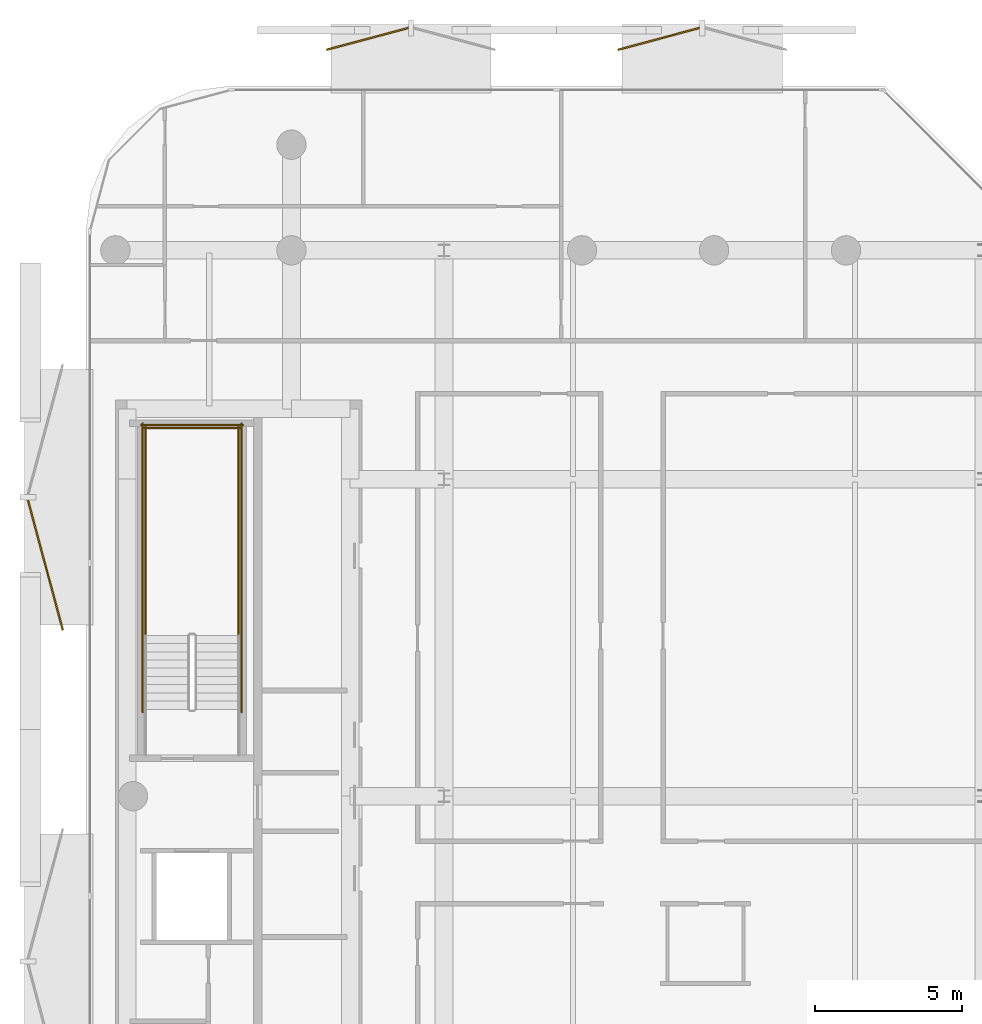
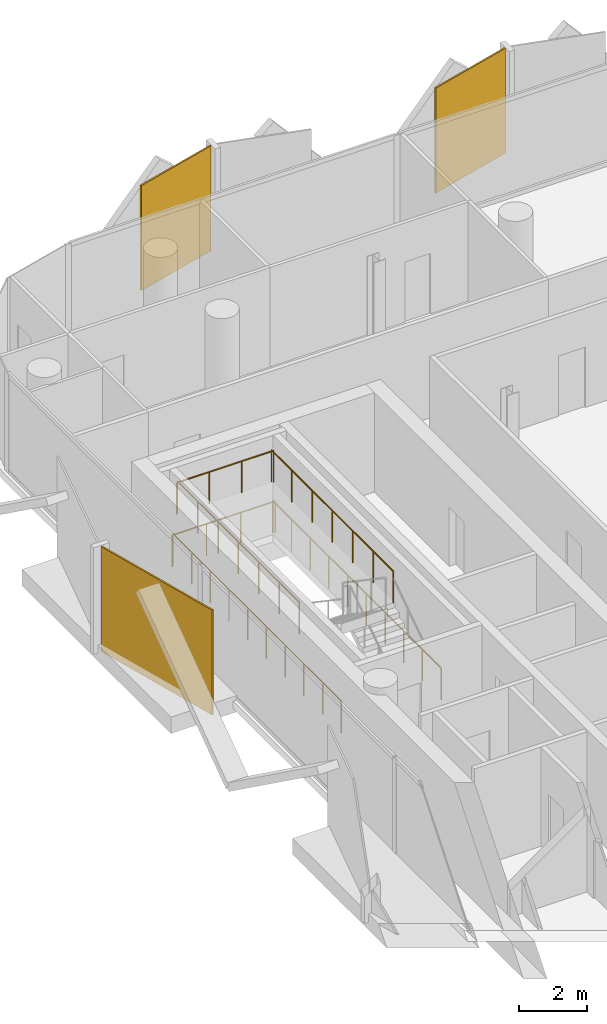
# One storey, part 16 of 16: 6 railings, 3 coverings.
"""IFC4 building model written with IfcOpenShell, lengths in metres."""

from ifc_helpers import new_model, si_unit, direction, frame, origin, origin_2d, place, context, subcontext, project, spatial, rectangle, circle, extrude, material, layer, layer_set, type_object, element, save


model = new_model("IFC4")

# Units and contexts
model_context = context("Model", 3, precision=1e-05, world=origin(), true_north=direction((0.0, 1.0)))
body_context = subcontext(model_context, "Body", "Model", "MODEL_VIEW")
ifc_project = project(units=[si_unit("LENGTHUNIT", "METRE"), si_unit("AREAUNIT", "SQUARE_METRE"), si_unit("VOLUMEUNIT", "CUBIC_METRE"), si_unit("PLANEANGLEUNIT", "RADIAN"), si_unit("MASSUNIT", "GRAM", prefix="KILO")], contexts=[model_context])

# Site, building, storey
site_placement = place(None, origin())
site = spatial("IfcSite", under=ifc_project, at=site_placement, CompositionType="ELEMENT")
building_placement = place(site_placement, origin())
building = spatial("IfcBuilding", under=site, at=building_placement, Name="Khairoan Windgate Tower", CompositionType="ELEMENT")
storey_placement = place(building_placement, frame((0.0, 0.0, 311.800048828125)))
storey = spatial("IfcBuildingStorey", under=building, at=storey_placement, Name="L75", CompositionType="ELEMENT", Elevation=311.800048828125)

# Coverings
ifc_material_1 = material(Name="Anodised Bronze Aluminium 6063-T6", Category="aluminium")
ifc_layer = layer(ifc_material_1, 0.054931640625, Name="Anodised Bronze Aluminium 6063-T6")
ifc_layer_set = layer_set([ifc_layer], Name="Anodised Bronze Aluminium 6063-T6")
covering_type = type_object("IfcCoveringType", Name="Perforated Bronze-Ceramic Folded Solar Screen Cladding BSC-1", PredefinedType="CLADDING", material=ifc_layer_set)
covering_placement = place(storey_placement, frame((-22.786376953125, 7.877197265625, -0.10009765625), z_axis=(0.0, 0.0, 1.0), x_axis=(-0.258819045103, 0.965925826289, 0.0)))
element("IfcCovering", 1, at=covering_placement, inside=storey, type_object=covering_type, Name="L75 Folded Bronze Solar Screen Facet 529L", PredefinedType="CLADDING", context=body_context, shape_type="SweptSolid", body=[
    extrude(rectangle(XDim=4.5869140625, YDim=0.054931640625, at=origin_2d()), origin(), (0.0, 0.0, 1.0), 3.739990234375),
])
for number, where, z_axis, x_axis, name in (
    (2, (-11.80810546875, 25.807373046875, -0.10009765625), (0.0, 0.0, 1.0), (0.965925826289, 0.258819045103, 0.0), "L75 Folded Bronze Solar Screen Facet 530L"),
    (3, (-1.881591796875, 25.807373046875, -0.10009765625), (0.0, 0.0, 1.0), (0.965925826289, 0.258819045103, 0.0), "L75 Folded Bronze Solar Screen Facet 531L"),
):
    element("IfcCovering", number, at=place(storey_placement, frame(where, z_axis=z_axis, x_axis=x_axis)), inside=storey, type_object=covering_type, Name=name, PredefinedType="CLADDING", context=body_context, shape_type="SweptSolid", body=[
        extrude(rectangle(XDim=2.87890625, YDim=0.054931640625, at=origin_2d()), origin(), (0.0, 0.0, 1.0), 3.739990234375),
    ])

# Railings
ifc_material_2 = material(Name="Steel S355", Category="steel")
railing_type = type_object("IfcRailingType", Name="Stairwell Safety Guardrail SGR-1150", PredefinedType="GUARDRAIL", material=ifc_material_2)
for number, where, name in (
    (4, (-16.199951171875, 5.47998046875, 1.89990234375), "L75 ST2 stair guard 3"),
    (5, (-19.3701171875, 5.47998046875, 1.89990234375), "L75 ST2 stair guard 4"),
):
    element("IfcRailing", number, at=place(storey_placement, frame(where)), inside=storey, type_object=railing_type, Name=name, PredefinedType="GUARDRAIL", context=body_context, shape_type="SweptSolid", body=[
        extrude(circle(Radius=0.02392578125, at=origin_2d()), frame((0.0, 0.0, 1.1259765625), z_axis=(0.0, 1.0, 0.0), x_axis=(-1.0, 0.0, 0.0)), (0.0, 0.0, 1.0), 7.1201171875),
        extrude(circle(Radius=0.02099609375, at=origin_2d()), origin(), (0.0, 0.0, 1.0), 1.101806640625),
        extrude(circle(Radius=0.02099609375, at=origin_2d()), frame((0.0, 1.186767578125, 0.0)), (0.0, 0.0, 1.0), 1.101806640625),
        extrude(circle(Radius=0.02099609375, at=origin_2d()), frame((0.0, 2.373291015625, 0.0)), (0.0, 0.0, 1.0), 1.101806640625),
        extrude(circle(Radius=0.02099609375, at=origin_2d()), frame((0.0, 3.56005859375, 0.0)), (0.0, 0.0, 1.0), 1.101806640625),
        extrude(circle(Radius=0.02099609375, at=origin_2d()), frame((0.0, 4.746826171875, 0.0)), (0.0, 0.0, 1.0), 1.101806640625),
        extrude(circle(Radius=0.02099609375, at=origin_2d()), frame((0.0, 5.933349609375, 0.0)), (0.0, 0.0, 1.0), 1.101806640625),
        extrude(circle(Radius=0.02099609375, at=origin_2d()), frame((0.0, 7.1201171875, 0.0)), (0.0, 0.0, 1.0), 1.101806640625),
    ])
railing_1_placement = place(storey_placement, frame((-16.14990234375, 12.550048828125, 1.89990234375)))
element("IfcRailing", 6, at=railing_1_placement, inside=storey, type_object=railing_type, Name="L75 ST2 stair guard 5", PredefinedType="GUARDRAIL", context=body_context, shape_type="SweptSolid", body=[
    extrude(circle(Radius=0.02392578125, at=origin_2d()), frame((0.0, 0.0, 1.1259765625), z_axis=(-1.0, 0.0, 0.0), x_axis=(0.0, -1.0, 0.0)), (0.0, 0.0, 1.0), 3.27001953125),
    extrude(circle(Radius=0.02099609375, at=origin_2d()), origin(), (0.0, 0.0, 1.0), 1.101806640625),
    extrude(circle(Radius=0.02099609375, at=origin_2d()), frame((-1.090087890625, 0.0, 0.0)), (0.0, 0.0, 1.0), 1.101806640625),
    extrude(circle(Radius=0.02099609375, at=origin_2d()), frame((-2.179931640625, 0.0, 0.0)), (0.0, 0.0, 1.0), 1.101806640625),
    extrude(circle(Radius=0.02099609375, at=origin_2d()), frame((-3.27001953125, 0.0, 0.0)), (0.0, 0.0, 1.0), 1.101806640625),
])
for number, where, name in (
    (7, (-16.10009765625, 2.860107421875, 0.0), "L75 ST2 stair guard 10"),
    (8, (-19.469970703125, 2.860107421875, 0.0), "L75 ST2 stair guard 11"),
):
    element("IfcRailing", number, at=place(storey_placement, frame(where)), inside=storey, type_object=railing_type, Name=name, PredefinedType="GUARDRAIL", context=body_context, shape_type="SweptSolid", body=[
        extrude(circle(Radius=0.02392578125, at=origin_2d()), frame((0.0, 0.0, 1.1259765625), z_axis=(0.0, 1.0, 0.0), x_axis=(-1.0, 0.0, 0.0)), (0.0, 0.0, 1.0), 9.83984375),
        extrude(circle(Radius=0.02099609375, at=origin_2d()), origin(), (0.0, 0.0, 1.0), 1.101806640625),
        extrude(circle(Radius=0.02099609375, at=origin_2d()), frame((0.0, 1.09326171875, 0.0)), (0.0, 0.0, 1.0), 1.101806640625),
        extrude(circle(Radius=0.02099609375, at=origin_2d()), frame((0.0, 2.1865234375, 0.0)), (0.0, 0.0, 1.0), 1.101806640625),
        extrude(circle(Radius=0.02099609375, at=origin_2d()), frame((0.0, 3.280029296875, 0.0)), (0.0, 0.0, 1.0), 1.101806640625),
        extrude(circle(Radius=0.02099609375, at=origin_2d()), frame((0.0, 4.373291015625, 0.0)), (0.0, 0.0, 1.0), 1.101806640625),
        extrude(circle(Radius=0.02099609375, at=origin_2d()), frame((0.0, 5.466552734375, 0.0)), (0.0, 0.0, 1.0), 1.101806640625),
        extrude(circle(Radius=0.02099609375, at=origin_2d()), frame((0.0, 6.559814453125, 0.0)), (0.0, 0.0, 1.0), 1.101806640625),
        extrude(circle(Radius=0.02099609375, at=origin_2d()), frame((0.0, 7.6533203125, 0.0)), (0.0, 0.0, 1.0), 1.101806640625),
        extrude(circle(Radius=0.02099609375, at=origin_2d()), frame((0.0, 8.74658203125, 0.0)), (0.0, 0.0, 1.0), 1.101806640625),
        extrude(circle(Radius=0.02099609375, at=origin_2d()), frame((0.0, 9.83984375, 0.0)), (0.0, 0.0, 1.0), 1.101806640625),
    ])
railing_2_placement = place(storey_placement, frame((-16.050048828125, 12.64990234375, 0.0)))
element("IfcRailing", 9, at=railing_2_placement, inside=storey, type_object=railing_type, Name="L75 ST2 stair guard 12", PredefinedType="GUARDRAIL", context=body_context, shape_type="SweptSolid", body=[
    extrude(circle(Radius=0.02392578125, at=origin_2d()), frame((0.0, 0.0, 1.1259765625), z_axis=(-1.0, 0.0, 0.0), x_axis=(0.0, -1.0, 0.0)), (0.0, 0.0, 1.0), 3.469970703125),
    extrude(circle(Radius=0.02099609375, at=origin_2d()), origin(), (0.0, 0.0, 1.0), 1.101806640625),
    extrude(circle(Radius=0.02099609375, at=origin_2d()), frame((-1.15673828125, 0.0, 0.0)), (0.0, 0.0, 1.0), 1.101806640625),
    extrude(circle(Radius=0.02099609375, at=origin_2d()), frame((-2.313232421875, 0.0, 0.0)), (0.0, 0.0, 1.0), 1.101806640625),
    extrude(circle(Radius=0.02099609375, at=origin_2d()), frame((-3.469970703125, 0.0, 0.0)), (0.0, 0.0, 1.0), 1.101806640625),
])

save(model, "model.ifc")
